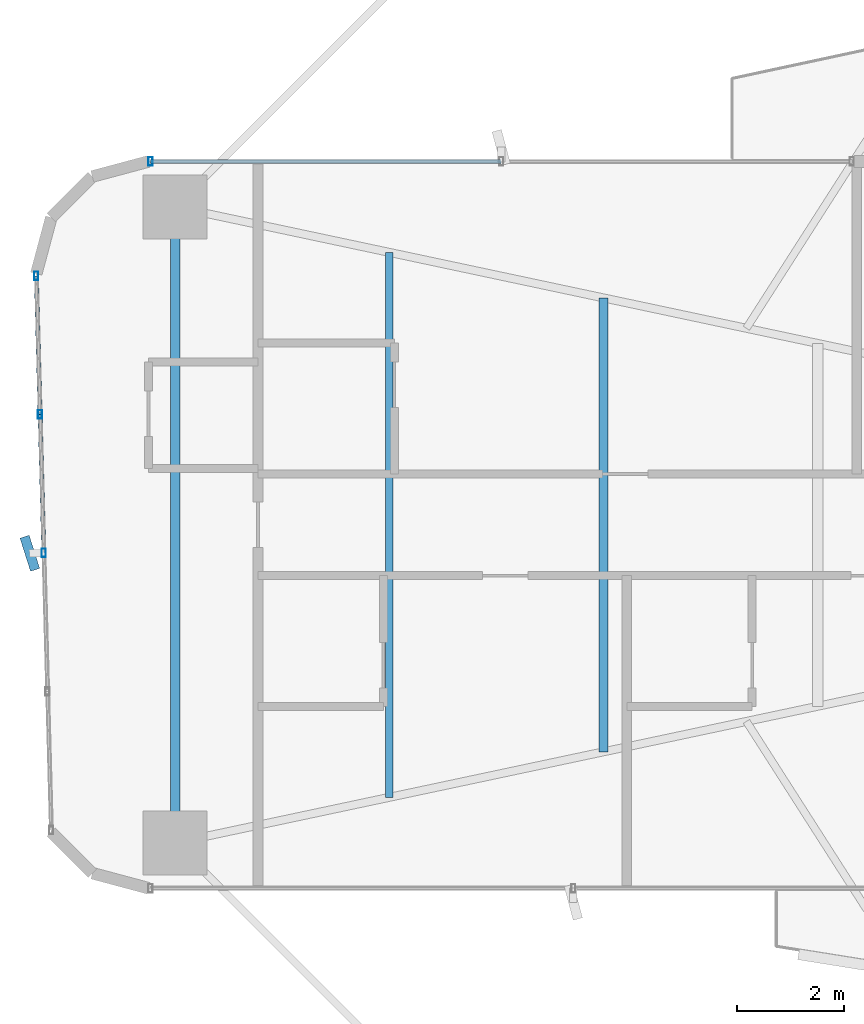
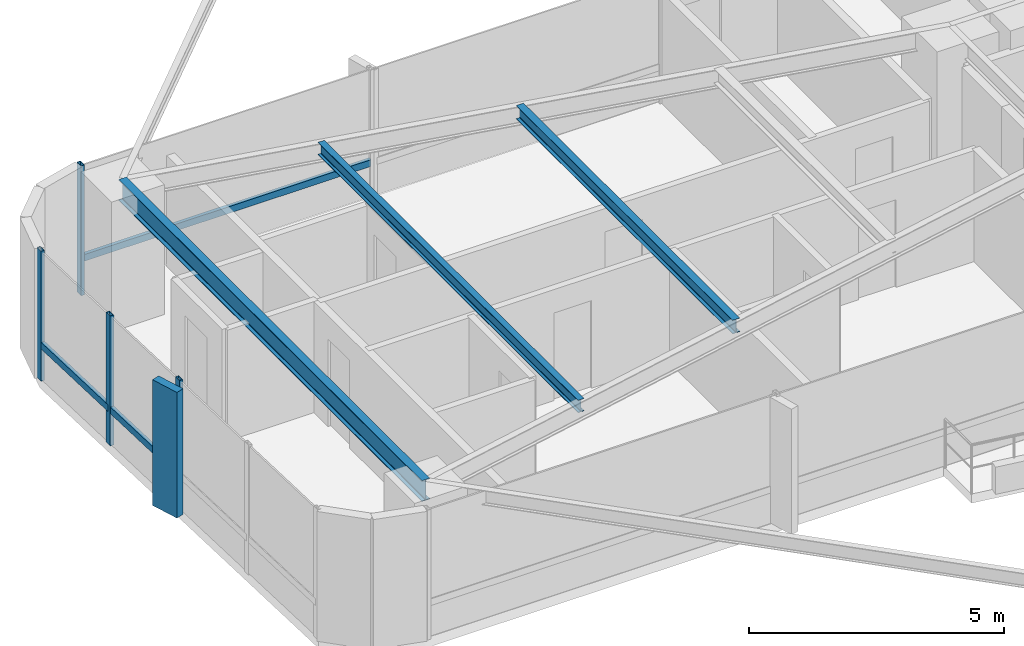
# One storey, part 8 of 25: 8 members, 3 beams, 2 elements without a shape of their own.
"""IFC4 building model written with IfcOpenShell, lengths in metres."""

from ifc_helpers import new_model, si_unit, direction, frame, origin, origin_2d, place, context, subcontext, project, spatial, rectangle, hollow_rectangle, i_section, extrude, source, transform, mapped, material, material_profile, profile_set, type_object, element, aggregate, save


model = new_model("IFC4")

# Units and contexts
model_context = context("Model", 3, precision=1e-05, world=origin(), true_north=direction((0.0, 1.0)))
body_context = subcontext(model_context, "Body", "Model", "MODEL_VIEW")
ifc_project = project(units=[si_unit("LENGTHUNIT", "METRE"), si_unit("AREAUNIT", "SQUARE_METRE"), si_unit("VOLUMEUNIT", "CUBIC_METRE"), si_unit("PLANEANGLEUNIT", "RADIAN"), si_unit("MASSUNIT", "GRAM", prefix="KILO")], contexts=[model_context])

# Site, building, storey
site_placement = place(None, origin())
site = spatial("IfcSite", under=ifc_project, at=site_placement, CompositionType="ELEMENT")
building_placement = place(site_placement, origin())
building = spatial("IfcBuilding", under=site, at=building_placement, Name="Sahyath Konkavel Grand Hotel", CompositionType="ELEMENT")
storey_placement = place(building_placement, frame((0.0, 0.0, 67.800048828125)))
storey = spatial("IfcBuildingStorey", under=building, at=storey_placement, Name="L18", CompositionType="ELEMENT", Elevation=67.800048828125)

# Beams
ifc_material_1 = material(Name="Steel E350", Category="steel")
ifc_material_profile_1 = material_profile(ifc_material_1, i_section(OverallWidth=0.179931640625, OverallDepth=0.5, WebThickness=0.01025390625, FlangeThickness=0.01708984375, FilletRadius=0.01708984375, at=origin_2d()), Name="ISMB 500")
ifc_profile_set_1 = profile_set([ifc_material_profile_1], Name="Steel E350")
beam_type_1 = type_object("IfcBeamType", Name="BM-ISMB500", PredefinedType="BEAM", material=ifc_profile_set_1)
shared_shape_1 = source(origin(), body_context, "Body", "SweptSolid", [
    extrude(i_section(OverallWidth=0.179931640625, OverallDepth=0.5, WebThickness=0.01025390625, FlangeThickness=0.01708984375, FilletRadius=0.01708984375, at=origin_2d()), origin(), (0.0, 0.0, 1.0), 11.89990234375),
])
beam_1_placement = place(storey_placement, frame((-22.199951171875, 5.949951171875, 2.85986328125), z_axis=(0.0, -1.0, 0.0), x_axis=(1.0, 0.0, 0.0)))
element("IfcBeam", 1, at=beam_1_placement, inside=storey, type_object=beam_type_1, Name="L18 Wing Tip Edge Beam W", PredefinedType="BEAM", context=body_context, shape_type="MappedRepresentation", body=[
    mapped(shared_shape_1, transform((0.0, 0.0, 0.0), scale=1.0)),
])
ifc_material_profile_2 = material_profile(ifc_material_1, i_section(OverallWidth=0.1650390625, OverallDepth=0.324951171875, WebThickness=0.007080078125, FlangeThickness=0.009765625, FilletRadius=0.014892578125, at=origin_2d()), Name="ISLB 325")
ifc_profile_set_2 = profile_set([ifc_material_profile_2], Name="Steel E350")
beam_type_2 = type_object("IfcBeamType", Name="BM-ISLB325", PredefinedType="BEAM", material=ifc_profile_set_2)
shared_shape_2 = source(origin(), body_context, "Body", "SweptSolid", [
    extrude(i_section(OverallWidth=0.1650390625, OverallDepth=0.324951171875, WebThickness=0.007080078125, FlangeThickness=0.009765625, FilletRadius=0.014892578125, at=origin_2d()), origin(), (0.0, 0.0, 1.0), 8.4921875),
])
beam_2_placement = place(storey_placement, frame((-14.18408203125, 4.24609375, 2.947509765625), z_axis=(0.0, -1.0, 0.0), x_axis=(1.0, 0.0, 0.0)))
element("IfcBeam", 2, at=beam_2_placement, inside=storey, type_object=beam_type_2, Name="L18 Secondary Floor Beam W-2", PredefinedType="BEAM", context=body_context, shape_type="MappedRepresentation", body=[
    mapped(shared_shape_2, transform((0.0, 0.0, 0.0), scale=1.0)),
])
ifc_material_profile_3 = material_profile(ifc_material_1, i_section(OverallWidth=0.139892578125, OverallDepth=0.300048828125, WebThickness=0.0078125, FlangeThickness=0.01318359375, FilletRadius=0.013916015625, at=origin_2d()), Name="ISMB 300")
ifc_profile_set_3 = profile_set([ifc_material_profile_3], Name="Steel E350")
beam_type_3 = type_object("IfcBeamType", Name="BM-ISMB300", PredefinedType="BEAM", material=ifc_profile_set_3)
shared_shape_3 = source(origin(), body_context, "Body", "SweptSolid", [
    extrude(i_section(OverallWidth=0.139892578125, OverallDepth=0.300048828125, WebThickness=0.0078125, FlangeThickness=0.01318359375, FilletRadius=0.013916015625, at=origin_2d()), origin(), (0.0, 0.0, 1.0), 10.19580078125),
])
beam_3_placement = place(storey_placement, frame((-18.19189453125, 5.097900390625, 2.9599609375), z_axis=(0.0, -1.0, 0.0), x_axis=(1.0, 0.0, 0.0)))
element("IfcBeam", 3, at=beam_3_placement, inside=storey, type_object=beam_type_3, Name="L18 Secondary Floor Beam W-3", PredefinedType="BEAM", context=body_context, shape_type="MappedRepresentation", body=[
    mapped(shared_shape_3, transform((0.0, 0.0, 0.0), scale=1.0)),
])

# Curtain wall, member
ifc_material_2 = material(Name="Anodised Bronze Aluminium & Low-E Glazing", Category="aluminium")
curtain_wall_type = type_object("IfcCurtainWallType", Name="CW-ZONE1", PredefinedType="NOTDEFINED", material=ifc_material_2)
curtain_wall_1_placement = place(storey_placement, origin())
curtain_wall_1 = element("IfcCurtainWall", 4, at=curtain_wall_1_placement, inside=storey, type_object=curtain_wall_type, Name="L18 Unitised Curtain Wall F16", PredefinedType="NOTDEFINED")
ifc_material_3 = material(Name="Anodised Bronze Aluminium", Category="aluminium")
ifc_material_profile_4 = material_profile(ifc_material_3, hollow_rectangle(XDim=0.080078125, YDim=0.159912109375, WallThickness=0.006103515625, at=origin_2d()), Name="RHS 160x80x6")
ifc_profile_set_4 = profile_set([ifc_material_profile_4], Name="Anodised Bronze Aluminium")
member_type_1 = type_object("IfcMemberType", Name="CW-MUL-160", PredefinedType="MULLION", material=ifc_profile_set_4)
shared_shape_4 = source(origin(), body_context, "Body", "SweptSolid", [
    extrude(hollow_rectangle(XDim=0.080078125, YDim=0.159912109375, WallThickness=0.006103515625, at=origin_2d()), origin(), (0.0, 0.0, 1.0), 3.10986328125),
])
member_1_placement = place(storey_placement, frame((-22.659912109375, 6.800048828125, 0.0), z_axis=(0.0, 0.0, 1.0), x_axis=(1.0, 0.0, 0.0)))
member_1 = element("IfcMember", 5, at=member_1_placement, type_object=member_type_1, Name="L18 Curtain Wall Mullion F16-2", PredefinedType="MULLION", context=body_context, shape_type="MappedRepresentation", body=[
    mapped(shared_shape_4, transform((0.0, 0.0, 0.0), scale=1.0)),
])

# Curtain wall, members
curtain_wall_2_placement = place(storey_placement, origin())
curtain_wall_2 = element("IfcCurtainWall", 6, at=curtain_wall_2_placement, inside=storey, type_object=curtain_wall_type, Name="L18 Unitised Curtain Wall F20", PredefinedType="NOTDEFINED")
member_2_placement = place(storey_placement, frame((-24.798828125, 4.659912109375, 0.0), z_axis=(0.0, 0.0, 1.0), x_axis=(1.0, 0.0, 0.0)))
member_2 = element("IfcMember", 7, at=member_2_placement, type_object=member_type_1, Name="L18 Curtain Wall Mullion F20-0", PredefinedType="MULLION", context=body_context, shape_type="MappedRepresentation", body=[
    mapped(shared_shape_4, transform((0.0, 0.0, 0.0), scale=1.0)),
])
member_3_placement = place(storey_placement, frame((-24.72900390625, 2.0673828125, 0.0), z_axis=(0.0, 0.0, 1.0), x_axis=(1.0, 0.0, 0.0)))
member_3 = element("IfcMember", 8, at=member_3_placement, type_object=member_type_1, Name="L18 Curtain Wall Mullion F20-1", PredefinedType="MULLION", context=body_context, shape_type="MappedRepresentation", body=[
    mapped(shared_shape_4, transform((0.0, 0.0, 0.0), scale=1.0)),
])
member_4_placement = place(storey_placement, frame((-24.6591796875, -0.52490234375, 0.0), z_axis=(0.0, 0.0, 1.0), x_axis=(1.0, 0.0, 0.0)))
member_4 = element("IfcMember", 9, at=member_4_placement, type_object=member_type_1, Name="L18 Curtain Wall Mullion F20-2", PredefinedType="MULLION", context=body_context, shape_type="MappedRepresentation", body=[
    mapped(shared_shape_4, transform((0.0, 0.0, 0.0), scale=1.0)),
])
ifc_material_4 = material(Name="Warm Buff Sandstone Cladding on Concrete C50/60", Category="masonry")
ifc_material_profile_5 = material_profile(ifc_material_4, rectangle(XDim=0.179931640625, YDim=0.64990234375, at=origin_2d()), Name="FIN 180x650")
ifc_profile_set_5 = profile_set([ifc_material_profile_5], Name="Warm Buff Sandstone Cladding on Concrete C50/60")
member_type_2 = type_object("IfcMemberType", Name="FIN-SANDSTONE-650", PredefinedType="MULLION", material=ifc_profile_set_5)
shared_shape_5 = source(origin(), body_context, "Body", "SweptSolid", [
    extrude(rectangle(XDim=0.179931640625, YDim=0.64990234375, at=origin_2d()), origin(), (0.0, 0.0, 1.0), 3.010009765625),
])
member_5_placement = place(storey_placement, frame((-24.919189453125, -0.531982421875, 0.050048828125), z_axis=(0.0, 0.0, 1.0), x_axis=(0.953032216634, 0.302868938746, 0.0)))
member_5 = element("IfcMember", 10, at=member_5_placement, type_object=member_type_2, Name="L18 Sandstone Vertical Solar Fin FIN F20-2", PredefinedType="MULLION", context=body_context, shape_type="MappedRepresentation", body=[
    mapped(shared_shape_5, transform((0.0, 0.0, 0.0), scale=1.0)),
])
ifc_material_profile_6 = material_profile(ifc_material_3, hollow_rectangle(XDim=0.080078125, YDim=0.159912109375, WallThickness=0.006103515625, at=origin_2d()), Name="RHS 160x80x6")
ifc_profile_set_6 = profile_set([ifc_material_profile_6], Name="Anodised Bronze Aluminium")
member_type_3 = type_object("IfcMemberType", Name="CW-TRN-160", PredefinedType="USERDEFINED", material=ifc_profile_set_6)
shared_shape_6 = source(origin(), body_context, "Body", "SweptSolid", [
    extrude(hollow_rectangle(XDim=0.080078125, YDim=0.159912109375, WallThickness=0.006103515625, at=origin_2d()), origin(), (0.0, 0.0, 1.0), 2.593505859375),
])
member_6_placement = place(storey_placement, frame((-24.798828125, 4.659912109375, 0.849853515625), z_axis=(0.026923093252, -0.999637507825, 0.0), x_axis=(0.999637507825, 0.026923093252, 0.0)))
member_6 = element("IfcMember", 11, at=member_6_placement, type_object=member_type_3, Name="L18 Curtain Wall Transom F20-0-spandrel", ObjectType="TRANSOM", PredefinedType="USERDEFINED", context=body_context, shape_type="MappedRepresentation", body=[
    mapped(shared_shape_6, transform((0.0, 0.0, 0.0), scale=1.0)),
])
shared_shape_7 = source(origin(), body_context, "Body", "SweptSolid", [
    extrude(hollow_rectangle(XDim=0.080078125, YDim=0.159912109375, WallThickness=0.006103515625, at=origin_2d()), origin(), (0.0, 0.0, 1.0), 2.59326171875),
])
member_7_placement = place(storey_placement, frame((-24.72900390625, 2.0673828125, 0.849853515625), z_axis=(0.026925627022, -0.99963743958, 0.0), x_axis=(0.99963743958, 0.026925627022, 0.0)))
member_7 = element("IfcMember", 12, at=member_7_placement, type_object=member_type_3, Name="L18 Curtain Wall Transom F20-1-spandrel", ObjectType="TRANSOM", PredefinedType="USERDEFINED", context=body_context, shape_type="MappedRepresentation", body=[
    mapped(shared_shape_7, transform((0.0, 0.0, 0.0), scale=1.0)),
])
aggregate(curtain_wall_2, [member_2, member_3, member_4, member_5, member_6, member_7])

# Member
shared_shape_8 = source(origin(), body_context, "Body", "SweptSolid", [
    extrude(hollow_rectangle(XDim=0.080078125, YDim=0.159912109375, WallThickness=0.006103515625, at=origin_2d()), origin(), (0.0, 0.0, 1.0), 6.559814453125),
])
member_8_placement = place(storey_placement, frame((-16.10009765625, 6.800048828125, 0.849853515625), z_axis=(-1.0, 0.0, 0.0), x_axis=(0.0, -1.0, 0.0)))
member_8 = element("IfcMember", 13, at=member_8_placement, type_object=member_type_3, Name="L18 Curtain Wall Transom F16-1-spandrel", ObjectType="TRANSOM", PredefinedType="USERDEFINED", context=body_context, shape_type="MappedRepresentation", body=[
    mapped(shared_shape_8, transform((0.0, 0.0, 0.0), scale=1.0)),
])

aggregate(curtain_wall_1, [member_1, member_8])

save(model, "model.ifc")
